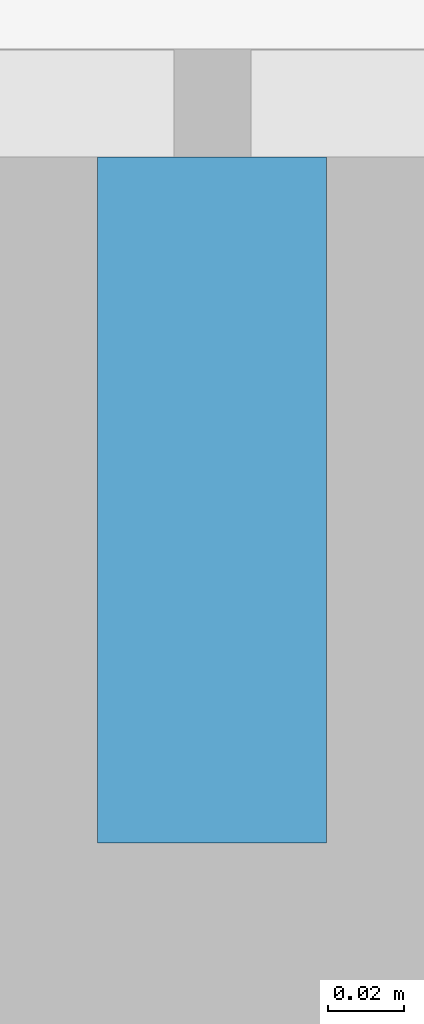
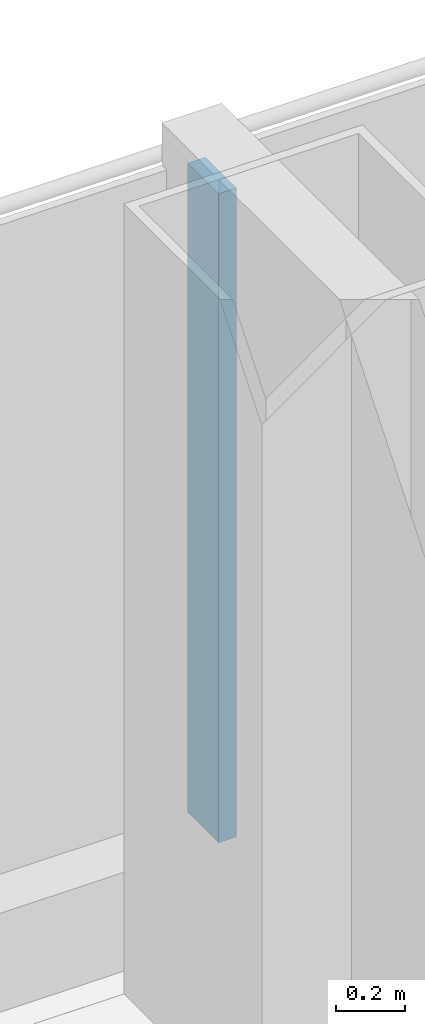
# One storey, part 8 of 34: 1 member, 1 element without a shape of its own.
"""IFC4 building model written with IfcOpenShell, lengths in metres."""

from ifc_helpers import new_model, si_unit, direction, frame, origin, origin_2d, place, context, subcontext, project, spatial, rectangle, extrude, material, layer, layer_set, material_profile, profile_set, type_object, element, aggregate, save


model = new_model("IFC4")

# Units and contexts
model_context = context("Model", 3, precision=1e-05, world=origin(), true_north=direction((0.0, 1.0)))
body_context = subcontext(model_context, "Body", "Model", "MODEL_VIEW")
ifc_project = project(units=[si_unit("LENGTHUNIT", "METRE"), si_unit("AREAUNIT", "SQUARE_METRE"), si_unit("VOLUMEUNIT", "CUBIC_METRE"), si_unit("PLANEANGLEUNIT", "RADIAN"), si_unit("MASSUNIT", "GRAM", prefix="KILO")], contexts=[model_context])

# Site, building, storey
site_placement = place(None, origin())
site = spatial("IfcSite", under=ifc_project, at=site_placement, CompositionType="ELEMENT")
building_placement = place(site_placement, origin())
building = spatial("IfcBuilding", under=site, at=building_placement, Name="Hakoniwa Tower and Hamabe Station Hall", CompositionType="ELEMENT")
storey_placement = place(building_placement, frame((0.0, 0.0, 107.39990234375)))
storey = spatial("IfcBuildingStorey", under=building, at=storey_placement, Name="L30", CompositionType="ELEMENT", Elevation=107.39990234375)

# Curtain wall, member
ifc_material_1 = material(Name="Dark low-e laminated glass", Category="glass")
ifc_layer = layer(ifc_material_1, 0.199951171875)
ifc_layer_set = layer_set([ifc_layer], Name="CW-1 UNITISED GUEST")
curtain_wall_type = type_object("IfcCurtainWallType", Name="CW-1 UNITISED GUEST", PredefinedType="NOTDEFINED", material=ifc_layer_set)
curtain_wall_placement = place(storey_placement, origin())
curtain_wall = element("IfcCurtainWall", 1, at=curtain_wall_placement, inside=storey, type_object=curtain_wall_type, Name="CW-1 curtain wall", PredefinedType="NOTDEFINED")
ifc_material_2 = material(Name="Aluminium 6063-T5 black anodised", Category="aluminium")
ifc_material_profile = material_profile(ifc_material_2, rectangle(XDim=0.06005859375, YDim=0.179931640625, at=origin_2d()), Name="CW-1 MULLION 60X180")
ifc_profile_set = profile_set([ifc_material_profile], Name="Aluminium 6063-T5 black anodised")
member_type = type_object("IfcMemberType", Name="CW-1 MULLION 60X180", PredefinedType="MULLION", material=ifc_profile_set)
member_placement = place(storey_placement, frame((8.39990234375, 23.431884765625, 0.35009765625), z_axis=(0.0, 0.0, 1.0), x_axis=(-1.0, 0.0, 0.0)))
member = element("IfcMember", 2, at=member_placement, type_object=member_type, Name="CW-1 mullion", PredefinedType="MULLION", context=body_context, shape_type="SweptSolid", body=[
    extrude(rectangle(XDim=0.06005859375, YDim=0.179931640625, at=origin_2d()), origin(), (0.0, 0.0, 1.0), 2.300048828125),
])
aggregate(curtain_wall, [member])

save(model, "model.ifc")
